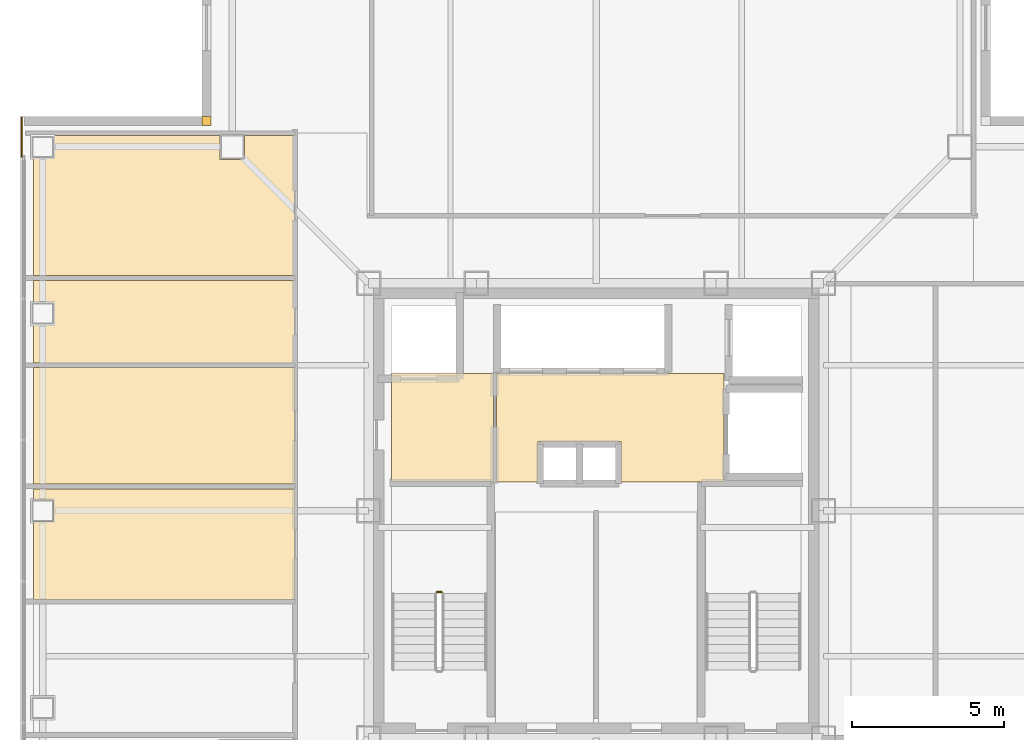
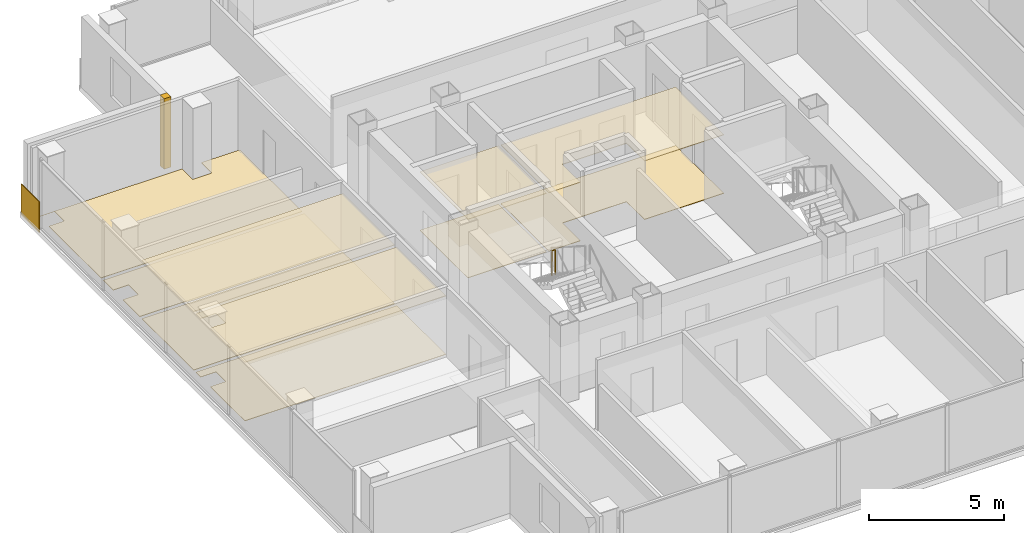
# One storey, part 13 of 16: 12 coverings, 1 railing.
"""IFC4 building model written with IfcOpenShell, lengths in metres."""

from ifc_helpers import new_model, si_unit, direction, frame, frame_2d, origin, origin_2d, place, context, subcontext, project, spatial, polyline, rectangle, circle, outline, extrude, material, layer, layer_set, type_object, element, save


model = new_model("IFC4")

# Units and contexts
model_context = context("Model", 3, precision=1e-05, world=origin(), true_north=direction((0.0, 1.0)))
body_context = subcontext(model_context, "Body", "Model", "MODEL_VIEW")
ifc_project = project(units=[si_unit("LENGTHUNIT", "METRE"), si_unit("AREAUNIT", "SQUARE_METRE"), si_unit("VOLUMEUNIT", "CUBIC_METRE"), si_unit("PLANEANGLEUNIT", "RADIAN"), si_unit("MASSUNIT", "GRAM", prefix="KILO")], contexts=[model_context])

# Site, building, storey
site_placement = place(None, origin())
site = spatial("IfcSite", under=ifc_project, at=site_placement, CompositionType="ELEMENT")
building_placement = place(site_placement, origin())
building = spatial("IfcBuilding", under=site, at=building_placement, Name="Trevonay Congress Spire", CompositionType="ELEMENT")
storey_placement = place(building_placement, frame((0.0, 0.0, 297.199951171875)))
storey = spatial("IfcBuildingStorey", under=building, at=storey_placement, Name="L78", CompositionType="ELEMENT", Elevation=297.199951171875)

# Coverings
ifc_material_1 = material(Name="Acoustic Mineral Fibre Board", Category="gypsum")
ifc_layer_1 = layer(ifc_material_1, 0.02490234375, Name="Acoustic Mineral Fibre Board")
ifc_layer_set_1 = layer_set([ifc_layer_1], Name="Acoustic Mineral Fibre Board")
covering_type_1 = type_object("IfcCoveringType", Name="COV-CEIL-ACOUSTIC", PredefinedType="CEILING", material=ifc_layer_set_1)
covering_1_placement = place(storey_placement, frame((0.0, 0.0, 2.650146484375)))
element("IfcCovering", 1, at=covering_1_placement, inside=storey, type_object=covering_type_1, Name="L78 Firefighting Lift Lobby West acoustic suspended ceiling", PredefinedType="CEILING", context=body_context, shape_type="SweptSolid", body=[
    extrude(outline(polyline([(-6.75, 0.9599609375), (-3.3798828125, 0.9599609375), (-3.3798828125, 4.52001953125), (-6.75, 4.52001953125), (-6.75, 0.9599609375)])), origin(), (0.0, 0.0, 1.0), 0.02490234375),
])
covering_2_placement = place(storey_placement, frame((0.0, 0.0, 2.650146484375)))
element("IfcCovering", 2, at=covering_2_placement, inside=storey, type_object=covering_type_1, Name="L78 Central and High-Rise Passenger Lift Lobby acoustic suspended ceiling", PredefinedType="CEILING", context=body_context, shape_type="SweptSolid", body=[
    extrude(outline(polyline([(-3.280029296875, 0.949951171875), (-1.919921875, 0.949951171875), (-1.919921875, 2.280029296875), (0.820068359375, 2.280029296875), (0.820068359375, 0.949951171875), (4.219970703125, 0.949951171875), (4.219970703125, 4.52001953125), (-3.280029296875, 4.52001953125), (-3.280029296875, 0.949951171875)])), origin(), (0.0, 0.0, 1.0), 0.02490234375),
])
covering_3_placement = place(storey_placement, frame((0.0, 0.0, 2.650146484375)))
element("IfcCovering", 3, at=covering_3_placement, inside=storey, type_object=covering_type_1, Name="L78 Champagne Aperitif Bar acoustic suspended ceiling", PredefinedType="CEILING", context=body_context, shape_type="SweptSolid", body=[
    extrude(outline(polyline([(-18.550048828125, 0.719970703125), (-9.929931640625, 0.719970703125), (-9.929931640625, -2.919921875), (-18.550048828125, -2.919921875), (-18.550048828125, -0.360107421875), (-17.889892578125, -0.360107421875), (-17.889892578125, 0.360107421875), (-18.550048828125, 0.360107421875), (-18.550048828125, 0.719970703125)])), origin(), (0.0, 0.0, 1.0), 0.02490234375),
])
covering_4_placement = place(storey_placement, frame((0.0, 0.0, 2.650146484375)))
element("IfcCovering", 4, at=covering_4_placement, inside=storey, type_object=covering_type_1, Name="L78 Cold Larder Kitchen acoustic suspended ceiling", PredefinedType="CEILING", context=body_context, shape_type="SweptSolid", body=[
    extrude(outline(polyline([(-18.550048828125, 0.8798828125), (-9.929931640625, 0.8798828125), (-9.929931640625, 4.719970703125), (-18.550048828125, 4.719970703125), (-18.550048828125, 0.8798828125)])), origin(), (0.0, 0.0, 1.0), 0.02490234375),
])
ifc_material_2 = material(Name="Polished Granite Floor Tile", Category="masonry")
ifc_layer_2 = layer(ifc_material_2, 0.02001953125, Name="Polished Granite Floor Tile")
ifc_layer_set_2 = layer_set([ifc_layer_2], Name="Polished Granite Floor Tile")
covering_type_2 = type_object("IfcCoveringType", Name="COV-FLOOR-STONE", PredefinedType="FLOORING", material=ifc_layer_set_2)
covering_5_placement = place(storey_placement, origin())
element("IfcCovering", 5, at=covering_5_placement, inside=storey, type_object=covering_type_2, Name="L78 Firefighting Lift Lobby West floor finish", PredefinedType="FLOORING", context=body_context, shape_type="SweptSolid", body=[
    extrude(outline(polyline([(-6.75, 0.9599609375), (-3.3798828125, 0.9599609375), (-3.3798828125, 4.52001953125), (-6.75, 4.52001953125), (-6.75, 0.9599609375)])), origin(), (0.0, 0.0, 1.0), 0.02001953125),
])
covering_6_placement = place(storey_placement, origin())
element("IfcCovering", 6, at=covering_6_placement, inside=storey, type_object=covering_type_2, Name="L78 Central and High-Rise Passenger Lift Lobby floor finish", PredefinedType="FLOORING", context=body_context, shape_type="SweptSolid", body=[
    extrude(outline(polyline([(-3.280029296875, 0.949951171875), (-1.919921875, 0.949951171875), (-1.919921875, 2.280029296875), (0.820068359375, 2.280029296875), (0.820068359375, 0.949951171875), (4.219970703125, 0.949951171875), (4.219970703125, 4.52001953125), (-3.280029296875, 4.52001953125), (-3.280029296875, 0.949951171875)])), origin(), (0.0, 0.0, 1.0), 0.02001953125),
])
covering_7_placement = place(storey_placement, origin())
element("IfcCovering", 7, at=covering_7_placement, inside=storey, type_object=covering_type_2, Name="L78 Champagne Aperitif Bar floor finish", PredefinedType="FLOORING", context=body_context, shape_type="SweptSolid", body=[
    extrude(outline(polyline([(-18.550048828125, 0.719970703125), (-9.929931640625, 0.719970703125), (-9.929931640625, -2.919921875), (-18.550048828125, -2.919921875), (-18.550048828125, -0.360107421875), (-17.889892578125, -0.360107421875), (-17.889892578125, 0.360107421875), (-18.550048828125, 0.360107421875), (-18.550048828125, 0.719970703125)])), origin(), (0.0, 0.0, 1.0), 0.02001953125),
])
covering_8_placement = place(storey_placement, origin())
element("IfcCovering", 8, at=covering_8_placement, inside=storey, type_object=covering_type_2, Name="L78 Cold Larder Kitchen floor finish", PredefinedType="FLOORING", context=body_context, shape_type="SweptSolid", body=[
    extrude(outline(polyline([(-18.550048828125, 0.8798828125), (-9.929931640625, 0.8798828125), (-9.929931640625, 4.719970703125), (-18.550048828125, 4.719970703125), (-18.550048828125, 0.8798828125)])), origin(), (0.0, 0.0, 1.0), 0.02001953125),
])
covering_9_placement = place(storey_placement, origin())
element("IfcCovering", 9, at=covering_9_placement, inside=storey, type_object=covering_type_2, Name="L78 Male Restroom WC floor finish", PredefinedType="FLOORING", context=body_context, shape_type="SweptSolid", body=[
    extrude(outline(polyline([(-18.550048828125, 7.60009765625), (-9.929931640625, 7.60009765625), (-9.929931640625, 4.8798828125), (-18.550048828125, 4.8798828125), (-18.550048828125, 6.139892578125), (-17.889892578125, 6.139892578125), (-17.889892578125, 6.860107421875), (-18.550048828125, 6.860107421875), (-18.550048828125, 7.60009765625)])), origin(), (0.0, 0.0, 1.0), 0.02001953125),
])
covering_10_placement = place(storey_placement, origin())
element("IfcCovering", 10, at=covering_10_placement, inside=storey, type_object=covering_type_2, Name="L78 Floor Supplies and Copy Room floor finish", PredefinedType="FLOORING", context=body_context, shape_type="SweptSolid", body=[
    extrude(outline(polyline([(-9.929931640625, 12.3701171875), (-9.929931640625, 7.760009765625), (-18.550048828125, 7.760009765625), (-18.550048828125, 11.639892578125), (-17.889892578125, 11.639892578125), (-17.889892578125, 12.360107421875), (-18.550048828125, 12.360107421875), (-18.550048828125, 12.3701171875), (-12.409912109375, 12.3701171875), (-12.409912109375, 11.590087890625), (-11.590087890625, 11.590087890625), (-11.590087890625, 12.3701171875), (-9.929931640625, 12.3701171875)])), origin(), (0.0, 0.0, 1.0), 0.02001953125),
])
ifc_material_3 = material(Name="Pale Anodised Aluminium EN AW-6063-T6", Category="aluminium")
ifc_layer_3 = layer(ifc_material_3, 0.0400390625, Name="Pale Anodised Aluminium EN AW-6063-T6")
ifc_layer_set_3 = layer_set([ifc_layer_3], Name="Pale Anodised Aluminium EN AW-6063-T6")
covering_type_3 = type_object("IfcCoveringType", Name="COV-SPANDREL-PALE-METAL", PredefinedType="CLADDING", material=ifc_layer_set_3)
covering_11_placement = place(storey_placement, origin())
element("IfcCovering", 11, at=covering_11_placement, inside=storey, type_object=covering_type_3, Name="L78 NW re-entrant notch corner closure trim", PredefinedType="CLADDING", context=body_context, shape_type="SweptSolid", body=[
    extrude(outline(polyline([(-13.0, 12.699951171875), (-12.699951171875, 12.699951171875), (-12.699951171875, 13.0), (-13.0, 13.0), (-13.0, 12.699951171875)])), origin(), (0.0, 0.0, 1.0), 3.199951171875),
])
covering_12_placement = place(storey_placement, frame((-18.93994140625, 11.64990234375, -0.14990234375), z_axis=(0.0, 0.0, 1.0), x_axis=(0.0, 1.0, 0.0)))
element("IfcCovering", 12, at=covering_12_placement, inside=storey, type_object=covering_type_3, Name="L78 NW corner pier spandrel cladding 1", PredefinedType="CLADDING", context=body_context, shape_type="SweptSolid", body=[
    extrude(rectangle(XDim=1.35009765625, YDim=0.0400390625, at=frame_2d((0.675048828125, 0.0))), origin(), (0.0, 0.0, 1.0), 1.39990234375),
])

# Railing
railing_type = type_object("IfcRailingType", Name="RAL-STAIR-GUARD-110", PredefinedType="GUARDRAIL", material=ifc_material_3)
railing_placement = place(storey_placement, frame((-5.10009765625, -2.679931640625, 1.800048828125)))
element("IfcRailing", 13, at=railing_placement, inside=storey, type_object=railing_type, Name="L78 ST-1 stair guard 2", PredefinedType="GUARDRAIL", context=body_context, shape_type="SweptSolid", body=[
    extrude(circle(Radius=0.02392578125, at=origin_2d()), frame((0.0, 0.0, 1.1259765625), z_axis=(-1.0, 0.0, 0.0), x_axis=(0.0, -1.0, 0.0)), (0.0, 0.0, 1.0), 0.14990234375),
    extrude(circle(Radius=0.02099609375, at=origin_2d()), origin(), (0.0, 0.0, 1.0), 1.101806640625),
    extrude(circle(Radius=0.02099609375, at=origin_2d()), frame((-0.14990234375, 0.0, 0.0)), (0.0, 0.0, 1.0), 1.101806640625),
])

save(model, "model.ifc")
